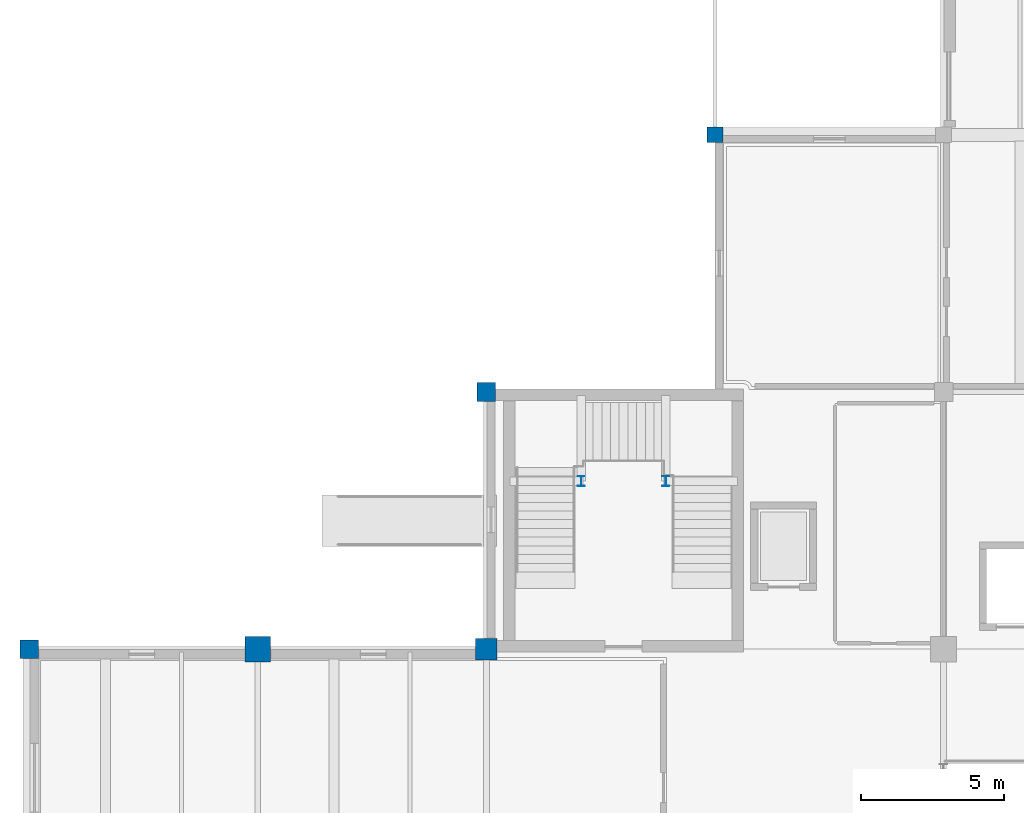
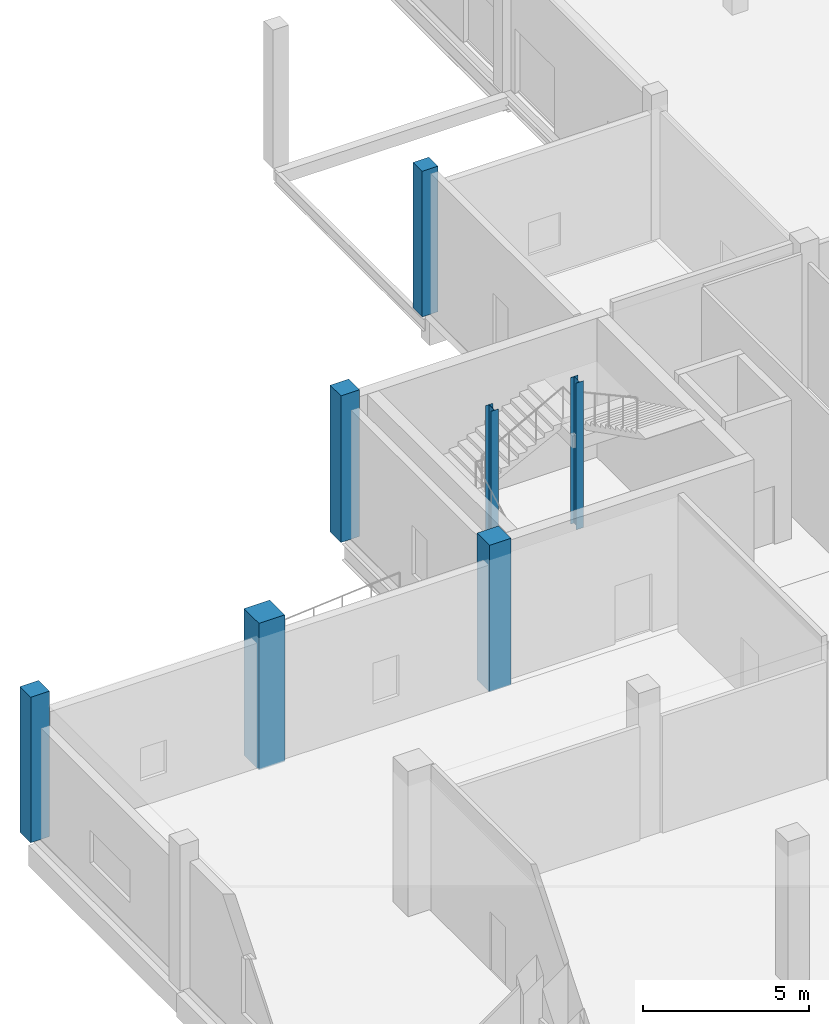
# One storey, part 9 of 57: 7 columns.
"""IFC4 building model written with IfcOpenShell, lengths in metres."""

from ifc_helpers import new_model, si_unit, derived_unit, direction, frame, origin, origin_2d, place, context, subcontext, project, spatial, rectangle, i_section, extrude, material, material_profile, profile_set, type_object, element, save


model = new_model("IFC4")

# Units and contexts
model_context = context("Model", 3, precision=1e-05, world=origin(), true_north=direction((0.0, 1.0)))
body_context = subcontext(model_context, "Body", "Model", "MODEL_VIEW")
ifc_project = project(units=[si_unit("LENGTHUNIT", "METRE"), si_unit("AREAUNIT", "SQUARE_METRE"), si_unit("VOLUMEUNIT", "CUBIC_METRE"), si_unit("PLANEANGLEUNIT", "RADIAN"), si_unit("MASSUNIT", "GRAM", prefix="KILO"), derived_unit("THERMALTRANSMITTANCEUNIT", [(si_unit("POWERUNIT", "WATT"), 1), (si_unit("LENGTHUNIT", "METRE"), -2), (si_unit("THERMODYNAMICTEMPERATUREUNIT", "KELVIN"), -1)])], contexts=[model_context])

# Site, building, storey
site_placement = place(None, origin())
site = spatial("IfcSite", under=ifc_project, at=site_placement, CompositionType="ELEMENT")
building_placement = place(site_placement, origin())
building = spatial("IfcBuilding", under=site, at=building_placement, Name="Nallur Shell Playhouse", CompositionType="ELEMENT")
storey_placement = place(building_placement, origin())
storey = spatial("IfcBuildingStorey", under=building, at=storey_placement, Name="L01", CompositionType="ELEMENT", Elevation=0.0)

# Columns
ifc_material_1 = material(Name="Concrete M35", Category="concrete")
ifc_material_profile_1 = material_profile(ifc_material_1, rectangle(XDim=0.550048828125, YDim=0.550048828125, at=origin_2d()), Name="RC 550x550")
ifc_profile_set_1 = profile_set([ifc_material_profile_1], Name="Concrete M35")
column_type_1 = type_object("IfcColumnType", Name="CL-RC-550", PredefinedType="COLUMN", material=ifc_profile_set_1)
column_1_placement = place(storey_placement, frame((32.0, 92.0, 0.0), z_axis=(0.0, 0.0, 1.0), x_axis=(1.0, 0.0, 0.0)))
element("IfcColumn", 1, at=column_1_placement, inside=storey, type_object=column_type_1, Name="Column 4-L (L01)", PredefinedType="COLUMN", context=body_context, shape_type="SweptSolid", body=[
    extrude(rectangle(XDim=0.550048828125, YDim=0.550048828125, at=origin_2d()), origin(), (0.0, 0.0, 1.0), 5.360107421875),
])
ifc_material_profile_2 = material_profile(ifc_material_1, rectangle(XDim=0.64990234375, YDim=0.64990234375, at=origin_2d()), Name="RC 650x650")
ifc_profile_set_2 = profile_set([ifc_material_profile_2], Name="Concrete M35")
column_type_2 = type_object("IfcColumnType", Name="CL-RC-650", PredefinedType="COLUMN", material=ifc_profile_set_2)
column_2_placement = place(storey_placement, frame((8.0, 74.0, 0.0), z_axis=(0.0, 0.0, 1.0), x_axis=(1.0, 0.0, 0.0)))
element("IfcColumn", 2, at=column_2_placement, inside=storey, type_object=column_type_2, Name="Column 1-J (L01)", PredefinedType="COLUMN", context=body_context, shape_type="SweptSolid", body=[
    extrude(rectangle(XDim=0.64990234375, YDim=0.64990234375, at=origin_2d()), origin(), (0.0, 0.0, 1.0), 5.360107421875),
])
column_3_placement = place(storey_placement, frame((24.0, 83.0, 0.0), z_axis=(0.0, 0.0, 1.0), x_axis=(1.0, 0.0, 0.0)))
element("IfcColumn", 3, at=column_3_placement, inside=storey, type_object=column_type_2, Name="Column 3-K (L01)", PredefinedType="COLUMN", context=body_context, shape_type="SweptSolid", body=[
    extrude(rectangle(XDim=0.64990234375, YDim=0.64990234375, at=origin_2d()), origin(), (0.0, 0.0, 1.0), 5.39990234375),
])
ifc_material_2 = material(Name="Concrete M40", Category="concrete")
ifc_material_profile_3 = material_profile(ifc_material_2, rectangle(XDim=0.75, YDim=0.75, at=origin_2d()), Name="RC 750x750")
ifc_profile_set_3 = profile_set([ifc_material_profile_3], Name="Concrete M40")
column_type_3 = type_object("IfcColumnType", Name="CL-RC-750", PredefinedType="COLUMN", material=ifc_profile_set_3)
column_4_placement = place(storey_placement, frame((24.0, 74.0, 0.0), z_axis=(0.0, 0.0, 1.0), x_axis=(1.0, 0.0, 0.0)))
element("IfcColumn", 4, at=column_4_placement, inside=storey, type_object=column_type_3, Name="Column 3-J (L01)", PredefinedType="COLUMN", context=body_context, shape_type="SweptSolid", body=[
    extrude(rectangle(XDim=0.75, YDim=0.75, at=origin_2d()), origin(), (0.0, 0.0, 1.0), 5.39990234375),
])
ifc_material_profile_4 = material_profile(ifc_material_2, rectangle(XDim=0.89990234375, YDim=0.89990234375, at=origin_2d()), Name="RC 900x900")
ifc_profile_set_4 = profile_set([ifc_material_profile_4], Name="Concrete M40")
column_type_4 = type_object("IfcColumnType", Name="CL-RC-900", PredefinedType="COLUMN", material=ifc_profile_set_4)
column_5_placement = place(storey_placement, frame((16.0, 74.0, 0.0), z_axis=(0.0, 0.0, 1.0), x_axis=(1.0, 0.0, 0.0)))
element("IfcColumn", 5, at=column_5_placement, inside=storey, type_object=column_type_4, Name="Column 2-J (L01)", PredefinedType="COLUMN", context=body_context, shape_type="SweptSolid", body=[
    extrude(rectangle(XDim=0.89990234375, YDim=0.89990234375, at=origin_2d()), origin(), (0.0, 0.0, 1.0), 5.39990234375),
])
ifc_material_3 = material(Name="Steel E350", Category="steel")
ifc_material_profile_5 = material_profile(ifc_material_3, i_section(OverallWidth=0.25, OverallDepth=0.35009765625, WebThickness=0.010009765625, FlangeThickness=0.01171875, FilletRadius=0.011962890625, at=origin_2d()), Name="ISHB 350")
ifc_profile_set_5 = profile_set([ifc_material_profile_5], Name="Steel E350")
column_type_5 = type_object("IfcColumnType", Name="CL-ST-ISHB350", PredefinedType="COLUMN", material=ifc_profile_set_5)
for number, where, z_axis, x_axis, name in (
    (6, (27.320068359375, 79.8798828125, 0.0), (0.0, 0.0, 1.0), (1.0, 0.0, 0.0), "Column STW-JC-6-W (L01)"),
    (7, (30.280029296875, 79.8798828125, 0.0), (0.0, 0.0, 1.0), (1.0, 0.0, 0.0), "Column STW-JC-6-E (L01)"),
):
    element("IfcColumn", number, at=place(storey_placement, frame(where, z_axis=z_axis, x_axis=x_axis)), inside=storey, type_object=column_type_5, Name=name, PredefinedType="COLUMN", context=body_context, shape_type="SweptSolid", body=[
        extrude(i_section(OverallWidth=0.25, OverallDepth=0.35009765625, WebThickness=0.010009765625, FlangeThickness=0.01171875, FilletRadius=0.011962890625, at=origin_2d()), origin(), (0.0, 0.0, 1.0), 5.39990234375),
    ])

save(model, "model.ifc")
